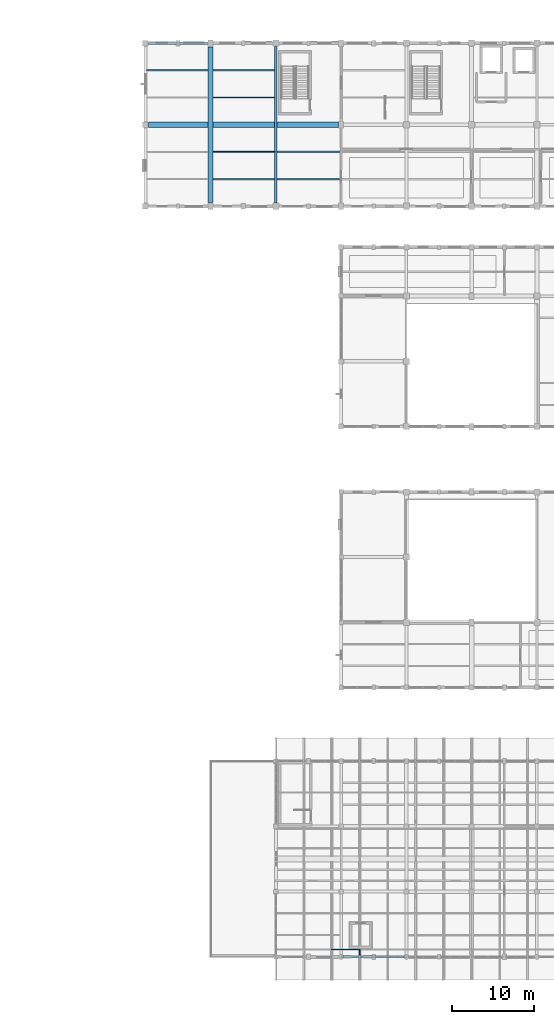
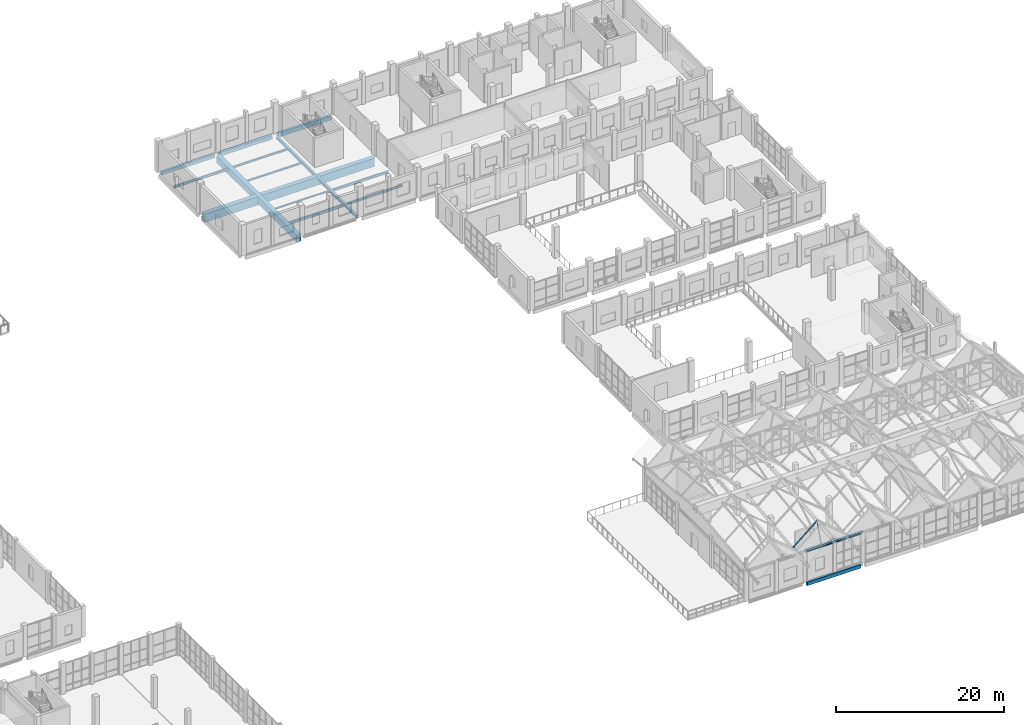
# One storey, part 68 of 183: 15 beams, 2 members.
"""IFC4 building model written with IfcOpenShell, lengths in metres."""

from ifc_helpers import new_model, si_unit, direction, frame, origin, origin_2d, place, context, subcontext, project, spatial, rectangle, hollow_circle, i_section, extrude, material, material_profile, profile_set, type_object, element, save


model = new_model("IFC4")

# Units and contexts
model_context = context("Model", 3, precision=1e-05, world=origin(), true_north=direction((0.0, 1.0)))
body_context = subcontext(model_context, "Body", "Model", "MODEL_VIEW")
ifc_project = project(units=[si_unit("LENGTHUNIT", "METRE"), si_unit("AREAUNIT", "SQUARE_METRE"), si_unit("VOLUMEUNIT", "CUBIC_METRE"), si_unit("PLANEANGLEUNIT", "RADIAN"), si_unit("MASSUNIT", "GRAM", prefix="KILO")], contexts=[model_context])

# Site, building, storey
site_placement = place(None, origin())
site = spatial("IfcSite", under=ifc_project, at=site_placement, CompositionType="ELEMENT")
building_placement = place(site_placement, origin())
building = spatial("IfcBuilding", under=site, at=building_placement, Name="Luwemba Playhouse", CompositionType="ELEMENT")
storey_placement = place(building_placement, frame((0.0, 0.0, 4.800048828125)))
storey = spatial("IfcBuildingStorey", under=building, at=storey_placement, Name="L01", CompositionType="ELEMENT", Elevation=4.800048828125)

# Beams
ifc_material_1 = material(Name="Concrete C40/50", Category="concrete")
ifc_material_profile_1 = material_profile(ifc_material_1, rectangle(XDim=0.60009765625, YDim=1.0, at=origin_2d()))
ifc_profile_set_1 = profile_set([ifc_material_profile_1], Name="Concrete C40/50")
beam_type_1 = type_object("IfcBeamType", Name="BM-RB09", PredefinedType="BEAM", material=ifc_profile_set_1)
beam_1_placement = place(storey_placement, frame((116.0, 95.449951171875, -0.75), z_axis=(0.0, 1.0, 0.0), x_axis=(-1.0, 0.0, 0.0)))
element("IfcBeam", 1, at=beam_1_placement, inside=storey, type_object=beam_type_1, Name="L01 transverse girder 0626", PredefinedType="BEAM", context=body_context, shape_type="SweptSolid", body=[
    extrude(rectangle(XDim=0.60009765625, YDim=1.0, at=origin_2d()), origin(), (0.0, 0.0, 1.0), 19.10009765625),
])
ifc_material_profile_2 = material_profile(ifc_material_1, rectangle(XDim=0.64990234375, YDim=1.199951171875, at=origin_2d()))
ifc_profile_set_2 = profile_set([ifc_material_profile_2], Name="Concrete C40/50")
beam_type_2 = type_object("IfcBeamType", Name="BM-RB11", PredefinedType="BEAM", material=ifc_profile_set_2)
beam_2_placement = place(storey_placement, frame((108.39990234375, 105.0, -0.85009765625), z_axis=(1.0, 0.0, 0.0), x_axis=(0.0, 1.0, 0.0)))
element("IfcBeam", 2, at=beam_2_placement, inside=storey, type_object=beam_type_2, Name="L01 grid girder 0610", PredefinedType="BEAM", context=body_context, shape_type="SweptSolid", body=[
    extrude(rectangle(XDim=0.64990234375, YDim=1.199951171875, at=origin_2d()), origin(), (0.0, 0.0, 1.0), 23.300048828125),
])
ifc_material_2 = material(Name="Steel S355", Category="steel")
ifc_material_profile_3 = material_profile(ifc_material_2, i_section(OverallWidth=0.300048828125, OverallDepth=0.360107421875, WebThickness=0.012451171875, FlangeThickness=0.0224609375, FilletRadius=0.027099609375, at=origin_2d()))
ifc_profile_set_3 = profile_set([ifc_material_profile_3], Name="Steel S355")
beam_type_3 = type_object("IfcBeamType", Name="BM-SB09", PredefinedType="BEAM", material=ifc_profile_set_3)
beam_3_placement = place(storey_placement, frame((132.0, 3.0, 4.320068359375), z_axis=(1.0, 0.0, 0.0), x_axis=(0.0, 1.0, 0.0)))
element("IfcBeam", 3, at=beam_3_placement, inside=storey, type_object=beam_type_3, Name="RF-V5E eave ring beam 0292", PredefinedType="BEAM", context=body_context, shape_type="SweptSolid", body=[
    extrude(i_section(OverallWidth=0.300048828125, OverallDepth=0.360107421875, WebThickness=0.012451171875, FlangeThickness=0.0224609375, FilletRadius=0.027099609375, at=origin_2d()), origin(), (0.0, 0.0, 1.0), 8.0),
])
ifc_material_profile_4 = material_profile(ifc_material_2, i_section(OverallWidth=0.300048828125, OverallDepth=0.39990234375, WebThickness=0.013427734375, FlangeThickness=0.02392578125, FilletRadius=0.027099609375, at=origin_2d()))
ifc_profile_set_4 = profile_set([ifc_material_profile_4], Name="Steel S355")
beam_type_4 = type_object("IfcBeamType", Name="BM-SB10", PredefinedType="BEAM", material=ifc_profile_set_4)
beam_4_placement = place(storey_placement, frame((124.0, 95.39990234375, -0.449951171875), z_axis=(0.0, 1.0, 0.0), x_axis=(-1.0, 0.0, 0.0)))
element("IfcBeam", 4, at=beam_4_placement, inside=storey, type_object=beam_type_4, Name="L01 transverse girder 0627", PredefinedType="BEAM", context=body_context, shape_type="SweptSolid", body=[
    extrude(i_section(OverallWidth=0.300048828125, OverallDepth=0.39990234375, WebThickness=0.013427734375, FlangeThickness=0.02392578125, FilletRadius=0.027099609375, at=origin_2d()), origin(), (0.0, 0.0, 1.0), 19.2001953125),
])
ifc_material_profile_5 = material_profile(ifc_material_2, i_section(OverallWidth=0.1201171875, OverallDepth=0.239990234375, WebThickness=0.006103515625, FlangeThickness=0.009765625, FilletRadius=0.014892578125, at=origin_2d()))
ifc_profile_set_5 = profile_set([ifc_material_profile_5], Name="Steel S355")
beam_type_5 = type_object("IfcBeamType", Name="BM-SJ03", PredefinedType="JOIST", material=ifc_profile_set_5)
beam_5_placement = place(storey_placement, frame((116.2958984375, 101.666748046875, -0.3701171875), z_axis=(1.0, 0.0, 0.0), x_axis=(0.0, 1.0, 0.0)))
element("IfcBeam", 5, at=beam_5_placement, inside=storey, type_object=beam_type_5, Name="L01 composite floor joist 0370", PredefinedType="JOIST", context=body_context, shape_type="SweptSolid", body=[
    extrude(i_section(OverallWidth=0.1201171875, OverallDepth=0.239990234375, WebThickness=0.006103515625, FlangeThickness=0.009765625, FilletRadius=0.014892578125, at=origin_2d()), origin(), (0.0, 0.0, 1.0), 7.55810546875),
])
ifc_material_profile_6 = material_profile(ifc_material_2, i_section(OverallWidth=0.135009765625, OverallDepth=0.27001953125, WebThickness=0.006591796875, FlangeThickness=0.01025390625, FilletRadius=0.014892578125, at=origin_2d()))
ifc_profile_set_6 = profile_set([ifc_material_profile_6], Name="Steel S355")
beam_type_6 = type_object("IfcBeamType", Name="BM-SJ04", PredefinedType="JOIST", material=ifc_profile_set_6)
beam_6_placement = place(storey_placement, frame((116.2958984375, 108.333251953125, -0.385009765625), z_axis=(1.0, 0.0, 0.0), x_axis=(0.0, 1.0, 0.0)))
element("IfcBeam", 6, at=beam_6_placement, inside=storey, type_object=beam_type_6, Name="L01 composite floor joist 0371", PredefinedType="JOIST", context=body_context, shape_type="SweptSolid", body=[
    extrude(i_section(OverallWidth=0.135009765625, OverallDepth=0.27001953125, WebThickness=0.006591796875, FlangeThickness=0.01025390625, FilletRadius=0.014892578125, at=origin_2d()), origin(), (0.0, 0.0, 1.0), 7.55810546875),
])
ifc_material_profile_7 = material_profile(ifc_material_2, i_section(OverallWidth=0.14990234375, OverallDepth=0.300048828125, WebThickness=0.007080078125, FlangeThickness=0.0107421875, FilletRadius=0.014892578125, at=origin_2d()))
ifc_profile_set_7 = profile_set([ifc_material_profile_7], Name="Steel S355")
beam_type_7 = type_object("IfcBeamType", Name="BM-SJ05", PredefinedType="JOIST", material=ifc_profile_set_7)
beam_7_placement = place(storey_placement, frame((116.2958984375, 111.666748046875, -0.400146484375), z_axis=(1.0, 0.0, 0.0), x_axis=(0.0, 1.0, 0.0)))
element("IfcBeam", 7, at=beam_7_placement, inside=storey, type_object=beam_type_7, Name="L01 composite floor joist 0372", PredefinedType="JOIST", context=body_context, shape_type="SweptSolid", body=[
    extrude(i_section(OverallWidth=0.14990234375, OverallDepth=0.300048828125, WebThickness=0.007080078125, FlangeThickness=0.0107421875, FilletRadius=0.014892578125, at=origin_2d()), origin(), (0.0, 0.0, 1.0), 7.55810546875),
])
ifc_material_profile_8 = material_profile(ifc_material_2, i_section(OverallWidth=0.159912109375, OverallDepth=0.330078125, WebThickness=0.007568359375, FlangeThickness=0.011474609375, FilletRadius=0.01806640625, at=origin_2d()))
ifc_profile_set_8 = profile_set([ifc_material_profile_8], Name="Steel S355")
beam_type_8 = type_object("IfcBeamType", Name="BM-SJ06", PredefinedType="JOIST", material=ifc_profile_set_8)
beam_8_placement = place(storey_placement, frame((124.14599609375, 98.333251953125, -0.4150390625), z_axis=(1.0, 0.0, 0.0), x_axis=(0.0, 1.0, 0.0)))
element("IfcBeam", 8, at=beam_8_placement, inside=storey, type_object=beam_type_8, Name="L01 composite floor joist 0373", PredefinedType="JOIST", context=body_context, shape_type="SweptSolid", body=[
    extrude(i_section(OverallWidth=0.159912109375, OverallDepth=0.330078125, WebThickness=0.007568359375, FlangeThickness=0.011474609375, FilletRadius=0.01806640625, at=origin_2d()), origin(), (0.0, 0.0, 1.0), 7.762939453125),
])
ifc_material_profile_9 = material_profile(ifc_material_2, i_section(OverallWidth=0.169921875, OverallDepth=0.360107421875, WebThickness=0.008056640625, FlangeThickness=0.0126953125, FilletRadius=0.01806640625, at=origin_2d()))
ifc_profile_set_9 = profile_set([ifc_material_profile_9], Name="Steel S355")
beam_type_9 = type_object("IfcBeamType", Name="BM-SJ07", PredefinedType="JOIST", material=ifc_profile_set_9)
beam_9_placement = place(storey_placement, frame((108.1708984375, 111.666748046875, -0.429931640625), z_axis=(1.0, 0.0, 0.0), x_axis=(0.0, 1.0, 0.0)))
element("IfcBeam", 9, at=beam_9_placement, inside=storey, type_object=beam_type_9, Name="L01 composite floor joist 0368", PredefinedType="JOIST", context=body_context, shape_type="SweptSolid", body=[
    extrude(i_section(OverallWidth=0.169921875, OverallDepth=0.360107421875, WebThickness=0.008056640625, FlangeThickness=0.0126953125, FilletRadius=0.01806640625, at=origin_2d()), origin(), (0.0, 0.0, 1.0), 7.533203125),
])
beam_10_placement = place(storey_placement, frame((124.14599609375, 101.666748046875, -0.429931640625), z_axis=(1.0, 0.0, 0.0), x_axis=(0.0, 1.0, 0.0)))
element("IfcBeam", 10, at=beam_10_placement, inside=storey, type_object=beam_type_9, Name="L01 composite floor joist 0374", PredefinedType="JOIST", context=body_context, shape_type="SweptSolid", body=[
    extrude(i_section(OverallWidth=0.169921875, OverallDepth=0.360107421875, WebThickness=0.008056640625, FlangeThickness=0.0126953125, FilletRadius=0.01806640625, at=origin_2d()), origin(), (0.0, 0.0, 1.0), 7.762939453125),
])
ifc_material_profile_10 = material_profile(ifc_material_2, i_section(OverallWidth=0.179931640625, OverallDepth=0.39990234375, WebThickness=0.008544921875, FlangeThickness=0.013427734375, FilletRadius=0.02099609375, at=origin_2d()))
ifc_profile_set_10 = profile_set([ifc_material_profile_10], Name="Steel S355")
beam_type_10 = type_object("IfcBeamType", Name="BM-SJ08", PredefinedType="JOIST", material=ifc_profile_set_10)
beam_11_placement = place(storey_placement, frame((116.2958984375, 98.333251953125, -0.449951171875), z_axis=(1.0, 0.0, 0.0), x_axis=(0.0, 1.0, 0.0)))
element("IfcBeam", 11, at=beam_11_placement, inside=storey, type_object=beam_type_10, Name="L01 composite floor joist 0369", PredefinedType="JOIST", context=body_context, shape_type="SweptSolid", body=[
    extrude(i_section(OverallWidth=0.179931640625, OverallDepth=0.39990234375, WebThickness=0.008544921875, FlangeThickness=0.013427734375, FilletRadius=0.02099609375, at=origin_2d()), origin(), (0.0, 0.0, 1.0), 7.55810546875),
])
ifc_material_profile_11 = material_profile(ifc_material_1, rectangle(XDim=0.300048828125, YDim=0.5, at=origin_2d()))
ifc_profile_set_11 = profile_set([ifc_material_profile_11], Name="Concrete C40/50")
beam_type_11 = type_object("IfcBeamType", Name="BM-SP1", PredefinedType="SPANDREL", material=ifc_profile_set_11)
beam_12_placement = place(storey_placement, frame((132.300048828125, 3.0, -0.5), z_axis=(1.0, 0.0, 0.0), x_axis=(0.0, 1.0, 0.0)))
element("IfcBeam", 12, at=beam_12_placement, inside=storey, type_object=beam_type_11, Name="L01 grid girder 0520", PredefinedType="SPANDREL", context=body_context, shape_type="SweptSolid", body=[
    extrude(rectangle(XDim=0.300048828125, YDim=0.5, at=origin_2d()), origin(), (0.0, 0.0, 1.0), 7.39990234375),
])
beam_13_placement = place(storey_placement, frame((108.39990234375, 115.0, -0.5), z_axis=(1.0, 0.0, 0.0), x_axis=(0.0, 1.0, 0.0)))
element("IfcBeam", 13, at=beam_13_placement, inside=storey, type_object=beam_type_11, Name="L01 grid girder 0616", PredefinedType="SPANDREL", context=body_context, shape_type="SweptSolid", body=[
    extrude(rectangle(XDim=0.300048828125, YDim=0.5, at=origin_2d()), origin(), (0.0, 0.0, 1.0), 7.300048828125),
])
ifc_material_profile_12 = material_profile(ifc_material_1, rectangle(XDim=0.35009765625, YDim=0.550048828125, at=origin_2d()))
ifc_profile_set_12 = profile_set([ifc_material_profile_12], Name="Concrete C40/50")
beam_type_12 = type_object("IfcBeamType", Name="BM-SP2", PredefinedType="SPANDREL", material=ifc_profile_set_12)
beam_14_placement = place(storey_placement, frame((116.300048828125, 115.0, -0.525146484375), z_axis=(1.0, 0.0, 0.0), x_axis=(0.0, 1.0, 0.0)))
element("IfcBeam", 14, at=beam_14_placement, inside=storey, type_object=beam_type_12, Name="L01 grid girder 0617", PredefinedType="SPANDREL", context=body_context, shape_type="SweptSolid", body=[
    extrude(rectangle(XDim=0.35009765625, YDim=0.550048828125, at=origin_2d()), origin(), (0.0, 0.0, 1.0), 7.300048828125),
])
ifc_material_profile_13 = material_profile(ifc_material_1, rectangle(XDim=0.35009765625, YDim=0.60009765625, at=origin_2d()))
ifc_profile_set_13 = profile_set([ifc_material_profile_13], Name="Concrete C40/50")
beam_type_13 = type_object("IfcBeamType", Name="BM-SP3", PredefinedType="SPANDREL", material=ifc_profile_set_13)
beam_15_placement = place(storey_placement, frame((124.39990234375, 115.0, -0.550048828125), z_axis=(1.0, 0.0, 0.0), x_axis=(0.0, 1.0, 0.0)))
element("IfcBeam", 15, at=beam_15_placement, inside=storey, type_object=beam_type_13, Name="L01 grid girder 0618", PredefinedType="SPANDREL", context=body_context, shape_type="SweptSolid", body=[
    extrude(rectangle(XDim=0.35009765625, YDim=0.60009765625, at=origin_2d()), origin(), (0.0, 0.0, 1.0), 7.300048828125),
])

# Members
ifc_material_profile_14 = material_profile(ifc_material_2, hollow_circle(Radius=0.084228515625, WallThickness=0.008056640625, at=origin_2d()))
ifc_profile_set_14 = profile_set([ifc_material_profile_14], Name="Steel S355")
member_type_1 = type_object("IfcMemberType", Name="MEM-MB02", PredefinedType="BRACE", material=ifc_profile_set_14)
member_1_placement = place(storey_placement, frame((134.28564453125, 3.0, 4.39990234375), z_axis=(0.0, 0.303860291907, 0.95271660162), x_axis=(-1.0, 0.0, 0.0)))
element("IfcMember", 16, at=member_1_placement, inside=storey, type_object=member_type_1, Name="ROOF TRUSS eave knee strut 0074", PredefinedType="BRACE", context=body_context, shape_type="SweptSolid", body=[
    extrude(hollow_circle(Radius=0.084228515625, WallThickness=0.008056640625, at=origin_2d()), origin(), (0.0, 0.0, 1.0), 2.961669921875),
])
ifc_material_profile_15 = material_profile(ifc_material_2, i_section(OverallWidth=0.091064453125, OverallDepth=0.179931640625, WebThickness=0.00537109375, FlangeThickness=0.008056640625, FilletRadius=0.009033203125, at=origin_2d()))
ifc_profile_set_15 = profile_set([ifc_material_profile_15], Name="Steel S355")
member_type_2 = type_object("IfcMemberType", Name="MEM-MP06", PredefinedType="PURLIN", material=ifc_profile_set_15)
member_2_placement = place(storey_placement, frame((130.857177734375, 3.89990234375, 4.582763671875), z_axis=(0.768342353216, 0.0, 0.640039083381), x_axis=(0.0, 1.0, 0.0)))
element("IfcMember", 17, at=member_2_placement, inside=storey, type_object=member_type_2, Name="Pleated roof purlin 0541", PredefinedType="PURLIN", context=body_context, shape_type="SweptSolid", body=[
    extrude(i_section(OverallWidth=0.091064453125, OverallDepth=0.179931640625, WebThickness=0.00537109375, FlangeThickness=0.008056640625, FilletRadius=0.009033203125, at=origin_2d()), origin(), (0.0, 0.0, 1.0), 4.462158203125),
])

save(model, "model.ifc")
